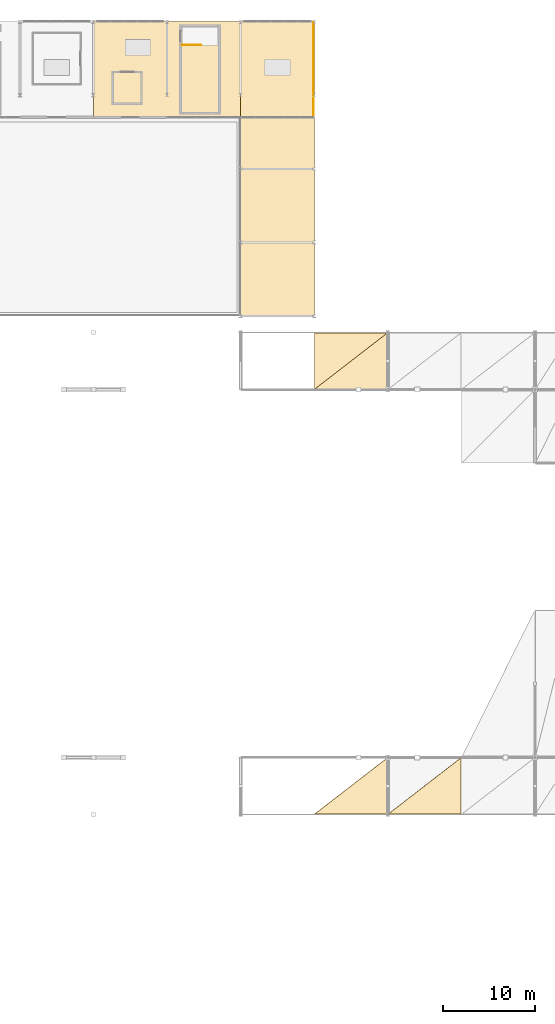
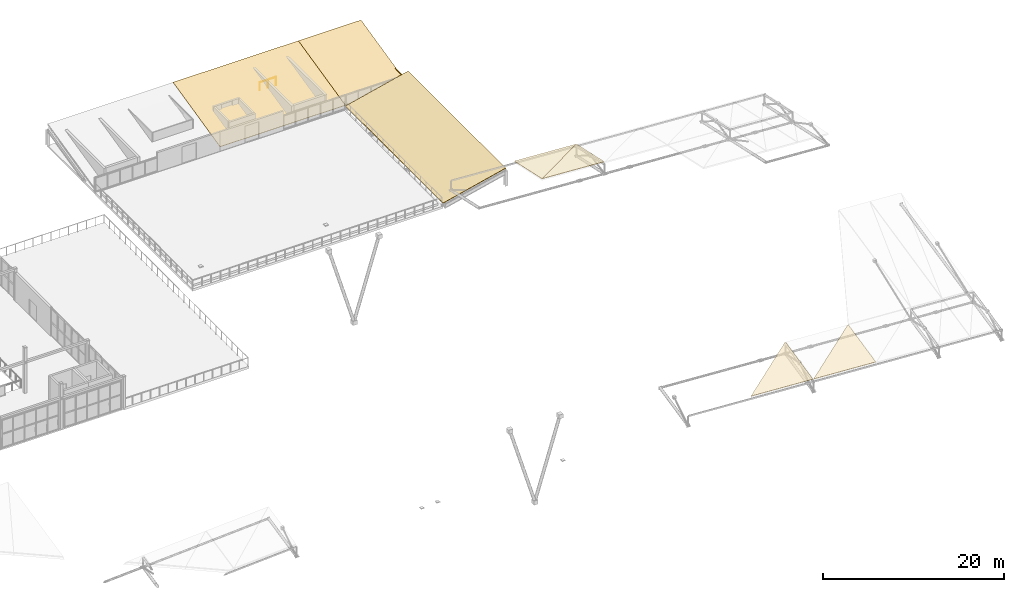
# One storey, part 83 of 83: 7 coverings, 2 railings, 2 elements without a shape of their own.
"""IFC4 building model written with IfcOpenShell, lengths in metres."""

from ifc_helpers import new_model, si_unit, direction, frame, origin, origin_2d, place, context, subcontext, project, spatial, polyline, circle, outline, extrude, material, layer, layer_set, type_object, element, aggregate, save


model = new_model("IFC4")

# Units and contexts
model_context = context("Model", 3, precision=1e-05, world=origin(), true_north=direction((0.0, 1.0)))
body_context = subcontext(model_context, "Body", "Model", "MODEL_VIEW")
ifc_project = project(units=[si_unit("LENGTHUNIT", "METRE"), si_unit("AREAUNIT", "SQUARE_METRE"), si_unit("VOLUMEUNIT", "CUBIC_METRE"), si_unit("PLANEANGLEUNIT", "RADIAN"), si_unit("MASSUNIT", "GRAM", prefix="KILO")], contexts=[model_context])

# Site, building, storey
site_placement = place(None, origin())
site = spatial("IfcSite", under=ifc_project, at=site_placement, CompositionType="ELEMENT")
building_placement = place(site_placement, origin())
building = spatial("IfcBuilding", under=site, at=building_placement, Name="Drelvath Fold Interchange", CompositionType="ELEMENT")
storey_placement = place(building_placement, frame((0.0, 0.0, 11.199951171875)))
storey = spatial("IfcBuildingStorey", under=building, at=storey_placement, Name="L02", CompositionType="ELEMENT", Elevation=11.199951171875)

# Roof, coverings
ifc_material_1 = material(Name="Standing-Seam Acoustic Roof Assembly")
ifc_layer_1 = layer(ifc_material_1, 0.054931640625, Name="Standing-Seam Acoustic Roof Assembly")
ifc_layer_set_1 = layer_set([ifc_layer_1], Name="Standing-Seam Acoustic Roof Assembly")
roof_type_1 = type_object("IfcRoofType", Name="ROOF-SF", PredefinedType="FREEFORM", material=ifc_layer_set_1)
roof_1_placement = place(storey_placement, origin())
roof_1 = element("IfcRoof", 1, at=roof_1_placement, inside=storey, type_object=roof_type_1, Name="Roof assembly RF-ASM-SF-L02", PredefinedType="FREEFORM")
ifc_layer_2 = layer(ifc_material_1, 0.054931640625, Name="Standing-Seam Acoustic Roof Assembly")
ifc_layer_set_2 = layer_set([ifc_layer_2], Name="Standing-Seam Acoustic Roof Assembly")
covering_type = type_object("IfcCoveringType", Name="CV-ROOF-SEAM", PredefinedType="ROOFING", material=ifc_layer_set_2)
covering_1_placement = place(storey_placement, frame((142.030029296875, 20.830078125, 4.382080078125), z_axis=(0.058721122025, -0.212723178899, 0.975346440496), x_axis=(0.998192566997, 0.0, -0.060096582196)))
covering_1 = element("IfcCovering", 2, at=covering_1_placement, type_object=covering_type, Name="Standing-seam roof covering SL-RF-SF107", PredefinedType="ROOFING", context=body_context, shape_type="SweptSolid", body=[
    extrude(outline(polyline([(0.0, 0.0), (7.954318303667255, 0.0), (7.873842289666909, 6.283710976103037), (0.0, 0.0)])), origin(), (0.0, 0.0, -1.0), 0.054931640625),
])
covering_2_placement = place(storey_placement, frame((142.030029296875, 67.030029296875, 5.719970703125), z_axis=(0.058571685319, 0.212725049631, 0.975355017898), x_axis=(0.998201761375, 0.0, -0.05994367013)))
covering_2 = element("IfcCovering", 3, at=covering_2_placement, type_object=covering_type, Name="Standing-seam roof covering SL-RF-SF117", PredefinedType="ROOFING", context=body_context, shape_type="SweptSolid", body=[
    extrude(outline(polyline([(0.0, 0.0), (7.954245036911256, 1.3877787807814457e-17), (8.034516284631593, 6.283713595225087), (0.0, 0.0)])), origin(), (0.0, 0.0, -1.0), 0.054931640625),
])
covering_3_placement = place(storey_placement, frame((142.030029296875, 67.030029296875, 5.719970703125), z_axis=(0.058723543311, 0.212538028694, 0.975386657598), x_axis=(0.778431207908, 0.601954567606, -0.178032449555)))
covering_3 = element("IfcCovering", 4, at=covering_3_placement, type_object=covering_type, Name="Standing-seam roof covering SL-RF-SF118", PredefinedType="ROOFING", context=body_context, shape_type="SweptSolid", body=[
    extrude(outline(polyline([(0.0, 0.0), (10.19992688575888, -2.7755575615628914e-16), (3.9341243272145876, 4.900091629081616), (0.0, 0.0)])), origin(), (0.0, 0.0, -1.0), 0.054931640625),
])
covering_4_placement = place(storey_placement, frame((150.030029296875, 20.830078125, 3.901123046875), z_axis=(0.058721606435, -0.21268615069, 0.975354486452), x_axis=(0.998192566997, 0.0, -0.060096582196)))
covering_4 = element("IfcCovering", 5, at=covering_4_placement, type_object=covering_type, Name="Standing-seam roof covering SL-RF-SF119", PredefinedType="ROOFING", context=body_context, shape_type="SweptSolid", body=[
    extrude(outline(polyline([(0.0, 0.0), (7.954318303667255, 1.3877787807814457e-17), (7.873856961684047, 6.28365914011294), (0.0, 0.0)])), origin(), (0.0, 0.0, -1.0), 0.054931640625),
])
aggregate(roof_1, [covering_1, covering_2, covering_3, covering_4])

ifc_layer_3 = layer(ifc_material_1, 0.054931640625, Name="Standing-Seam Acoustic Roof Assembly")
ifc_layer_set_3 = layer_set([ifc_layer_3], Name="Standing-Seam Acoustic Roof Assembly")
roof_type_2 = type_object("IfcRoofType", Name="ROOF-SW", PredefinedType="SHED_ROOF", material=ifc_layer_set_3)
roof_2_placement = place(storey_placement, origin())
roof_2 = element("IfcRoof", 6, at=roof_2_placement, inside=storey, type_object=roof_type_2, Name="Roof assembly RF-ASM-SW", PredefinedType="SHED_ROOF")
covering_5_placement = place(storey_placement, frame((118.0, 96.60009765625, 0.505126953125), z_axis=(0.0, -0.224939692294, 0.974372687851), x_axis=(1.0, 0.0, 0.0)))
covering_5 = element("IfcCovering", 7, at=covering_5_placement, type_object=covering_type, Name="Standing-seam roof covering SL-RF-SW02", PredefinedType="ROOFING", context=body_context, shape_type="SweptSolid", body=[
    extrude(outline(polyline([(0.0, 0.0), (16.0, 0.0), (16.0, 10.673433762478359), (0.0, 10.673433762478359), (0.0, 0.0)])), origin(), (0.0, 0.0, -1.0), 0.054931640625),
])
covering_6_placement = place(storey_placement, frame((134.0, 96.60009765625, 0.505126953125), z_axis=(0.0, -0.224939692294, 0.974372687851), x_axis=(1.0, 0.0, 0.0)))
covering_6 = element("IfcCovering", 8, at=covering_6_placement, type_object=covering_type, Name="Standing-seam roof covering SL-RF-SW03", PredefinedType="ROOFING", context=body_context, shape_type="SweptSolid", body=[
    extrude(outline(polyline([(0.0, 0.0), (8.0, 0.0), (8.0, 10.673433762478359), (0.0, 10.673433762478359), (0.0, 0.0)])), origin(), (0.0, 0.0, -1.0), 0.054931640625),
])
covering_7_placement = place(storey_placement, frame((134.0, 75.0, 0.405029296875), z_axis=(-0.233476204628, 0.0, 0.972362515666), x_axis=(0.972362515666, 0.0, 0.233476204628)))
covering_7 = element("IfcCovering", 9, at=covering_7_placement, type_object=covering_type, Name="Standing-seam roof covering SL-RF-SWE", PredefinedType="ROOFING", context=body_context, shape_type="SweptSolid", body=[
    extrude(outline(polyline([(0.0, 0.0), (8.227384201992146, 0.0), (8.227384201992146, 21.60009765625), (0.0, 21.60009765625), (0.0, 0.0)])), origin(), (0.0, 0.0, -1.0), 0.054931640625),
])
aggregate(roof_2, [covering_5, covering_6, covering_7])

# Railings
ifc_material_2 = material(Name="Stainless Steel 316L", Category="steel")
railing_type_1 = type_object("IfcRailingType", Name="RL-BAL1120", PredefinedType="BALUSTRADE", material=ifc_material_2)
railing_1_placement = place(storey_placement, frame((141.919921875, 96.60009765625, 0.0)))
element("IfcRailing", 10, at=railing_1_placement, inside=storey, type_object=railing_type_1, Name="L02 slab edge balustrade RL-EDG-L02-E", PredefinedType="BALUSTRADE", context=body_context, shape_type="SweptSolid", body=[
    extrude(circle(Radius=0.02392578125, at=origin_2d()), frame((0.0, 0.0, 1.09619140625), z_axis=(0.0, 1.0, 0.0), x_axis=(-1.0, 0.0, 0.0)), (0.0, 0.0, 1.0), 10.31982421875),
    extrude(circle(Radius=0.02099609375, at=origin_2d()), origin(), (0.0, 0.0, 1.0), 1.072021484375),
    extrude(circle(Radius=0.02099609375, at=origin_2d()), frame((0.0, 1.146728515625, 0.0)), (0.0, 0.0, 1.0), 1.072021484375),
    extrude(circle(Radius=0.02099609375, at=origin_2d()), frame((0.0, 2.293212890625, 0.0)), (0.0, 0.0, 1.0), 1.072021484375),
    extrude(circle(Radius=0.02099609375, at=origin_2d()), frame((0.0, 3.43994140625, 0.0)), (0.0, 0.0, 1.0), 1.072021484375),
    extrude(circle(Radius=0.02099609375, at=origin_2d()), frame((0.0, 4.586669921875, 0.0)), (0.0, 0.0, 1.0), 1.072021484375),
    extrude(circle(Radius=0.02099609375, at=origin_2d()), frame((0.0, 5.733154296875, 0.0)), (0.0, 0.0, 1.0), 1.072021484375),
    extrude(circle(Radius=0.02099609375, at=origin_2d()), frame((0.0, 6.8798828125, 0.0)), (0.0, 0.0, 1.0), 1.072021484375),
    extrude(circle(Radius=0.02099609375, at=origin_2d()), frame((0.0, 8.026611328125, 0.0)), (0.0, 0.0, 1.0), 1.072021484375),
    extrude(circle(Radius=0.02099609375, at=origin_2d()), frame((0.0, 9.173095703125, 0.0)), (0.0, 0.0, 1.0), 1.072021484375),
    extrude(circle(Radius=0.02099609375, at=origin_2d()), frame((0.0, 10.31982421875, 0.0)), (0.0, 0.0, 1.0), 1.072021484375),
])
railing_type_2 = type_object("IfcRailingType", Name="RL-GRD1100", PredefinedType="GUARDRAIL", material=ifc_material_2)
railing_2_placement = place(storey_placement, frame((127.60009765625, 104.449951171875, 0.0)))
element("IfcRailing", 11, at=railing_2_placement, inside=storey, type_object=railing_type_2, Name="L02 ST-08 top well guard 1", PredefinedType="GUARDRAIL", context=body_context, shape_type="SweptSolid", body=[
    extrude(circle(Radius=0.02392578125, at=origin_2d()), frame((0.0, 0.0, 1.076171875), z_axis=(1.0, 0.0, 0.0), x_axis=(0.0, 1.0, 0.0)), (0.0, 0.0, 1.0), 2.06982421875),
    extrude(circle(Radius=0.02099609375, at=origin_2d()), origin(), (0.0, 0.0, 1.0), 1.052001953125),
    extrude(circle(Radius=0.02099609375, at=origin_2d()), frame((1.034912109375, 0.0, 0.0)), (0.0, 0.0, 1.0), 1.052001953125),
    extrude(circle(Radius=0.02099609375, at=origin_2d()), frame((2.06982421875, 0.0, 0.0)), (0.0, 0.0, 1.0), 1.052001953125),
])

save(model, "model.ifc")
